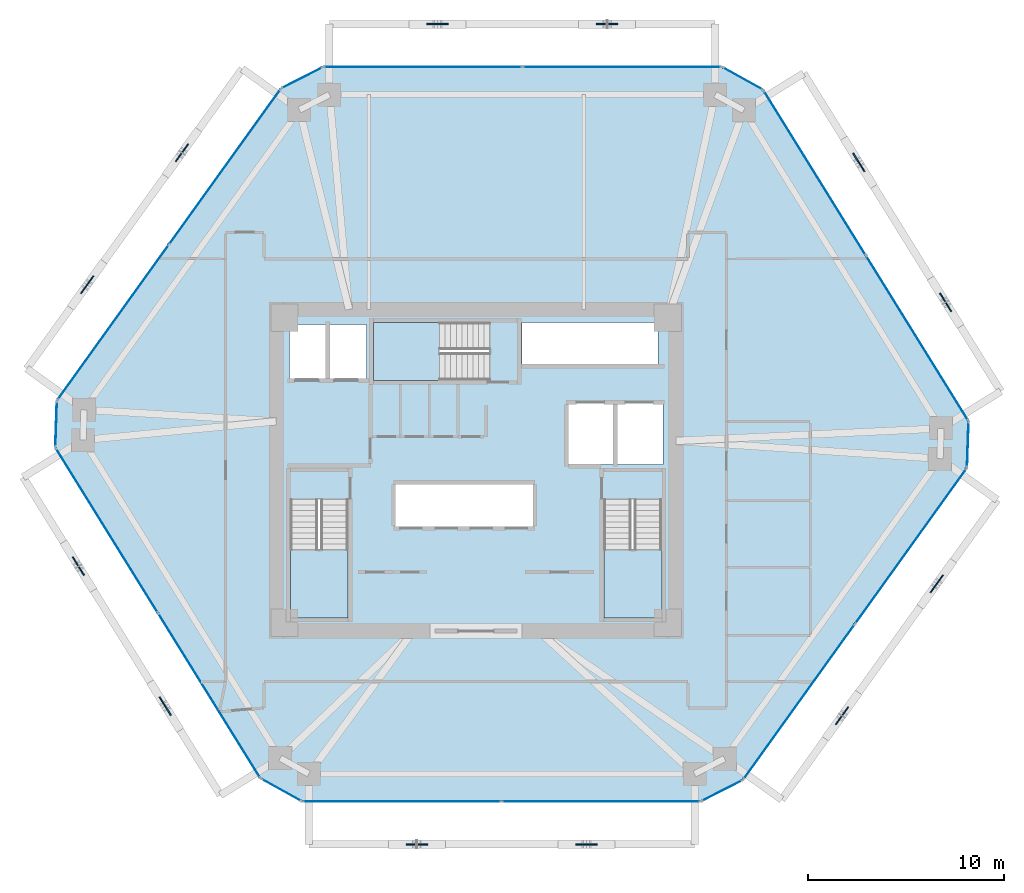
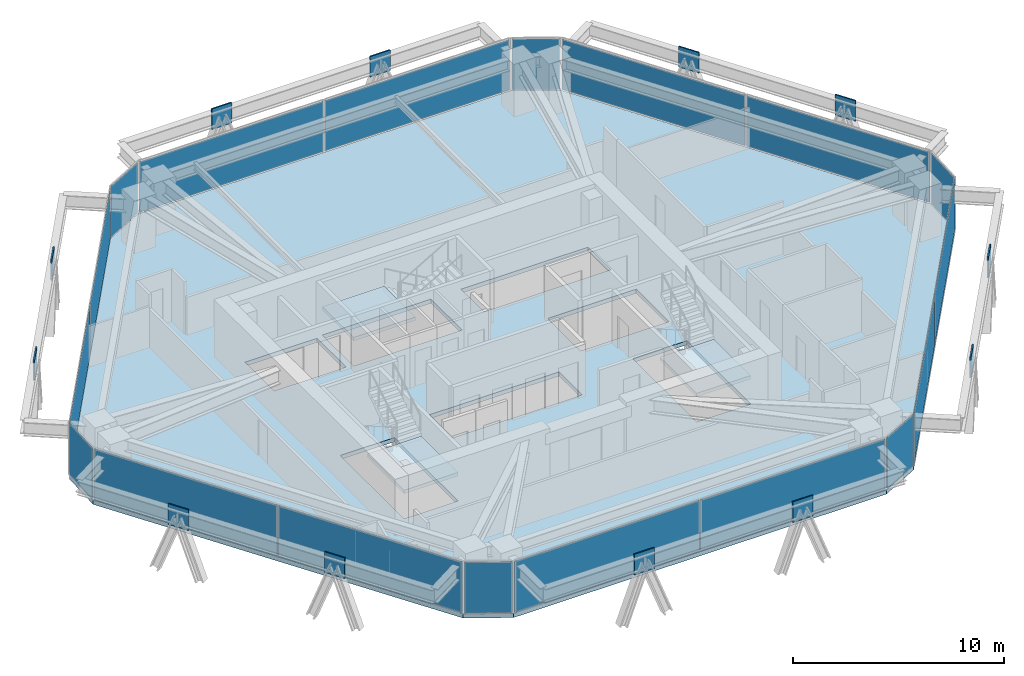
# One storey, part 9 of 15: 30 plates, 4 slabs, 15 elements without a shape of their own.
"""IFC4 building model written with IfcOpenShell, lengths in metres."""

from ifc_helpers import new_model, si_unit, direction, frame, origin, origin_2d, place, context, subcontext, project, spatial, polyline, rectangle, outline, extrude, source, transform, mapped, material, layer, layer_set, type_object, type_shapes, element, aggregate, save


model = new_model("IFC4")

# Units and contexts
model_context = context("Model", 3, precision=1e-05, world=origin(), true_north=direction((0.0, 1.0)))
body_context = subcontext(model_context, "Body", "Model", "MODEL_VIEW")
ifc_project = project(units=[si_unit("LENGTHUNIT", "METRE"), si_unit("AREAUNIT", "SQUARE_METRE"), si_unit("VOLUMEUNIT", "CUBIC_METRE"), si_unit("PLANEANGLEUNIT", "RADIAN"), si_unit("MASSUNIT", "GRAM", prefix="KILO")], contexts=[model_context])

# Site, building, storey
site_placement = place(None, origin())
site = spatial("IfcSite", under=ifc_project, at=site_placement, CompositionType="ELEMENT")
building_placement = place(site_placement, origin())
building = spatial("IfcBuilding", under=site, at=building_placement, Name="Durnholm Broadcast Tower", CompositionType="ELEMENT")
storey_placement = place(building_placement, frame((0.0, 0.0, 97.5)))
storey = spatial("IfcBuildingStorey", under=building, at=storey_placement, Name="L25", CompositionType="ELEMENT", Elevation=97.5)

# Slab
ifc_material_1 = material(Name="Concrete C50/60", Category="concrete")
ifc_layer_1 = layer(ifc_material_1, 0.239990234375)
ifc_layer_set_1 = layer_set([ifc_layer_1], Name="Concrete C50/60")
slab_type_1 = type_object("IfcSlabType", Name="SLAB-FLR-240", PredefinedType="FLOOR", material=ifc_layer_set_1)
slab_1_placement = place(storey_placement, frame((0.0, 0.0, -0.239990234375)))
element("IfcSlab", 1, at=slab_1_placement, inside=storey, type_object=slab_type_1, Name="L25 structural floor slab", PredefinedType="FLOOR", context=body_context, shape_type="SweptSolid", body=[
    extrude(outline(polyline([(-11.012451171875, -15.77001953125), (-8.915283203125, -16.93701171875), (11.51416015625, -16.93701171875), (13.649658203125, -15.841796875), (25.11279296875, 0.114990234375), (25.1943359375, 2.513671875), (14.6904296875, 19.447998046875), (12.59326171875, 20.614990234375), (-7.836181640625, 20.614990234375), (-9.9716796875, 19.519775390625), (-21.434814453125, 3.56298828125), (-21.516357421875, 1.164306640625), (-11.012451171875, -15.77001953125)]), holes=[polyline([(-6.5400390625, -1.5), (-9.5, -1.5), (-9.5, -7.550048828125), (-6.5400390625, -7.550048828125), (-6.5400390625, -1.5)]), polyline([(9.5, -7.550048828125), (9.5, -1.5), (6.5400390625, -1.5), (6.5400390625, -7.550048828125), (9.5, -7.550048828125)]), polyline([(2.949951171875, -0.699951171875), (-4.14990234375, -0.699951171875), (-4.14990234375, -2.89990234375), (2.949951171875, -2.89990234375), (2.949951171875, -0.699951171875)]), polyline([(9.550048828125, 3.39990234375), (4.699951171875, 3.39990234375), (4.699951171875, 0.300048828125), (9.550048828125, 0.300048828125), (9.550048828125, 3.39990234375)]), polyline([(-5.60009765625, 7.449951171875), (-9.550048828125, 7.449951171875), (-9.550048828125, 4.699951171875), (-5.60009765625, 4.699951171875), (-5.60009765625, 7.449951171875)]), polyline([(-5.25, 4.60009765625), (0.699951171875, 4.60009765625), (0.699951171875, 7.56005859375), (-5.25, 7.56005859375), (-5.25, 4.60009765625)]), polyline([(9.31005859375, 7.550048828125), (2.35009765625, 7.550048828125), (2.35009765625, 5.39990234375), (9.31005859375, 5.39990234375), (9.31005859375, 7.550048828125)])]), origin(), (0.0, 0.0, 1.0), 0.239990234375),
])

# Stair, slab
stair_type = type_object("IfcStairType", Name="STAIR-DL-20R1650", PredefinedType="HALF_TURN_STAIR", material=ifc_material_1)
stair_1_placement = place(storey_placement, origin())
stair_1 = element("IfcStair", 2, at=stair_1_placement, inside=storey, type_object=stair_type, Name="L25 ST-1", PredefinedType="HALF_TURN_STAIR")
ifc_layer_2 = layer(ifc_material_1, 0.199951171875)
ifc_layer_set_2 = layer_set([ifc_layer_2], Name="Concrete C50/60")
slab_type_2 = type_object("IfcSlabType", Name="SLAB-LND-200", PredefinedType="LANDING", material=ifc_layer_set_2)
slab_2_placement = place(storey_placement, frame((0.0, 0.0, 1.449951171875)))
slab_2 = element("IfcSlab", 3, at=slab_2_placement, type_object=slab_type_2, Name="ST-1 landing 1", PredefinedType="LANDING", context=body_context, shape_type="SweptSolid", body=[
    extrude(outline(polyline([(-9.5, -4.06494140625), (-9.5, -7.550048828125), (-6.5400390625, -7.550048828125), (-6.5400390625, -4.06494140625), (-9.5, -4.06494140625)])), origin(), (0.0, 0.0, 1.0), 0.199951171875),
])
aggregate(stair_1, [slab_2])

stair_2_placement = place(storey_placement, origin())
stair_2 = element("IfcStair", 4, at=stair_2_placement, inside=storey, type_object=stair_type, Name="L25 ST-2", PredefinedType="HALF_TURN_STAIR")
slab_3_placement = place(storey_placement, frame((0.0, 0.0, 1.449951171875)))
slab_3 = element("IfcSlab", 5, at=slab_3_placement, type_object=slab_type_2, Name="ST-2 landing 1", PredefinedType="LANDING", context=body_context, shape_type="SweptSolid", body=[
    extrude(outline(polyline([(6.5400390625, -4.06494140625), (6.5400390625, -7.550048828125), (9.5, -7.550048828125), (9.5, -4.06494140625), (6.5400390625, -4.06494140625)])), origin(), (0.0, 0.0, 1.0), 0.199951171875),
])
aggregate(stair_2, [slab_3])

stair_3_placement = place(storey_placement, origin())
stair_3 = element("IfcStair", 6, at=stair_3_placement, inside=storey, type_object=stair_type, Name="L25 ST-3", PredefinedType="HALF_TURN_STAIR")
slab_4_placement = place(storey_placement, frame((0.0, 0.0, 1.449951171875)))
slab_4 = element("IfcSlab", 7, at=slab_4_placement, type_object=slab_type_2, Name="ST-3 landing 1", PredefinedType="LANDING", context=body_context, shape_type="SweptSolid", body=[
    extrude(outline(polyline([(-1.864990234375, 7.56005859375), (-5.25, 7.56005859375), (-5.25, 4.60009765625), (-1.864990234375, 4.60009765625), (-1.864990234375, 7.56005859375)])), origin(), (0.0, 0.0, 1.0), 0.199951171875),
])
aggregate(stair_3, [slab_4])

# Plates
ifc_material_2 = material(Name="Steel ASTM A572 Grade 50", Category="steel")
ifc_layer_3 = layer(ifc_material_2, 0.070068359375)
ifc_layer_set_3 = layer_set([ifc_layer_3], Name="Steel ASTM A572 Grade 50")
plate_type_1 = type_object("IfcPlateType", Name="PLT-KN05-GUS", PredefinedType="USERDEFINED", material=ifc_layer_set_3)
shared_shape_1 = source(origin(), body_context, "Body", "SweptSolid", [
    extrude(rectangle(XDim=1.10009765625, YDim=0.070068359375, at=origin_2d()), origin(), (0.0, 0.0, 1.0), 1.199951171875),
])
type_shapes(plate_type_1, [shared_shape_1])
for number, where, z_axis, x_axis, name in (
    (8, (-3.028076171875, -19.136962890625, 1.70849609375), (0.0, 0.0, 1.0), (1.0, 0.0, 0.0), "L25 welded diagrid node gusset plate KN05 F1"),
    (9, (5.65234375, -19.136962890625, 1.70849609375), (0.0, 0.0, 1.0), (1.0, 0.0, 0.0), "L25 welded diagrid node gusset plate KN05 F1"),
    (10, (18.71875, -12.556396484375, 1.70849609375), (0.0, 0.0, 1.0), (0.583399467156, 0.812185361677, 0.0), "L25 welded diagrid node gusset plate KN05 F2"),
    (11, (23.56689453125, -5.807861328125, 1.70849609375), (0.0, 0.0, 1.0), (0.583399467156, 0.812185361677, 0.0), "L25 welded diagrid node gusset plate KN05 F2"),
    (12, (24.01513671875, 8.58837890625, 1.70849609375), (0.0, 0.0, 1.0), (-0.527104121728, 0.849800708906, 0.0), "L25 welded diagrid node gusset plate KN05 F3"),
    (13, (19.576416015625, 15.74462890625, 1.70849609375), (0.0, 0.0, 1.0), (-0.527104121728, 0.849800708906, 0.0), "L25 welded diagrid node gusset plate KN05 F3"),
    (14, (6.7060546875, 22.81494140625, 1.70849609375), (0.0, 0.0, 1.0), (-1.0, 0.0, 0.0), "L25 welded diagrid node gusset plate KN05 F4"),
    (15, (-1.974365234375, 22.81494140625, 1.70849609375), (0.0, 0.0, 1.0), (-1.0, 0.0, 0.0), "L25 welded diagrid node gusset plate KN05 F4"),
    (16, (-15.040771484375, 16.234375, 1.70849609375), (0.0, 0.0, 1.0), (-0.583399467156, -0.812185361677, 0.0), "L25 welded diagrid node gusset plate KN05 F5"),
    (17, (-19.888916015625, 9.48583984375, 1.70849609375), (0.0, 0.0, 1.0), (-0.583399467156, -0.812185361677, 0.0), "L25 welded diagrid node gusset plate KN05 F5"),
    (18, (-20.337158203125, -4.910400390625, 1.70849609375), (0.0, 0.0, 1.0), (0.527104121728, -0.849800708906, 0.0), "L25 welded diagrid node gusset plate KN05 F6"),
    (19, (-15.898193359375, -12.066650390625, 1.70849609375), (0.0, 0.0, 1.0), (0.527104121728, -0.849800708906, 0.0), "L25 welded diagrid node gusset plate KN05 F6"),
):
    element("IfcPlate", number, at=place(storey_placement, frame(where, z_axis=z_axis, x_axis=x_axis)), inside=storey, type_object=plate_type_1, Name=name, ObjectType="GUSSET_PLATE", PredefinedType="USERDEFINED", context=body_context, shape_type="MappedRepresentation", body=[
        mapped(shared_shape_1, transform((0.0, 0.0, 0.0), x_axis=(1.0, 0.0, 0.0), y_axis=(0.0, 1.0, 0.0), z_axis=(0.0, 0.0, 1.0), scale=1.0)),
    ])

# Curtain wall, plate
ifc_material_3 = material(Name="Aluminium and Solar Control IGU", Category="aluminium")
ifc_layer_4 = layer(ifc_material_3, 0.1650390625)
ifc_layer_set_4 = layer_set([ifc_layer_4], Name="Aluminium and Solar Control IGU")
curtain_wall_type_1 = type_object("IfcCurtainWallType", Name="CW-SYS-5", PredefinedType="NOTDEFINED", material=ifc_layer_set_4)
curtain_wall_1_placement = place(storey_placement, origin())
curtain_wall_1 = element("IfcCurtainWall", 20, at=curtain_wall_1_placement, inside=storey, type_object=curtain_wall_type_1, Name="L25 curtain wall CW-CORNER CW-L25-CRN-01", PredefinedType="NOTDEFINED")
ifc_material_4 = material(Name="Low-E Laminated Insulating Glass", Category="glass")
ifc_layer_5 = layer(ifc_material_4, 0.030029296875)
ifc_layer_set_5 = layer_set([ifc_layer_5], Name="Low-E Laminated Insulating Glass")
plate_type_2 = type_object("IfcPlateType", Name="CW-SYS-5-PNL", PredefinedType="CURTAIN_PANEL", material=ifc_layer_set_5)
shared_shape_2 = source(origin(), body_context, "Body", "SweptSolid", [
    extrude(rectangle(XDim=2.27001953125, YDim=0.030029296875, at=origin_2d()), origin(), (0.0, 0.0, 1.0), 2.929931640625),
])
type_shapes(plate_type_2, [shared_shape_2])
plate_1_placement = place(storey_placement, frame((-21.4755859375, 2.36376953125, 0.06494140625), z_axis=(0.0, 0.0, 1.0), x_axis=(0.033916937775, 0.999424655155, 0.0)))
plate_1 = element("IfcPlate", 21, at=plate_1_placement, type_object=plate_type_2, Name="CW-CORNER panel 1.1", PredefinedType="CURTAIN_PANEL", context=body_context, shape_type="MappedRepresentation", body=[
    mapped(shared_shape_2, transform((0.0, 0.0, 0.0), x_axis=(1.0, 0.0, 0.0), y_axis=(0.0, 1.0, 0.0), z_axis=(0.0, 0.0, 1.0), scale=1.0)),
])
aggregate(curtain_wall_1, [plate_1])

curtain_wall_2_placement = place(storey_placement, origin())
curtain_wall_2 = element("IfcCurtainWall", 22, at=curtain_wall_2_placement, inside=storey, type_object=curtain_wall_type_1, Name="L25 curtain wall CW-CORNER CW-L25-CRN-03", PredefinedType="NOTDEFINED")
plate_2_placement = place(storey_placement, frame((-8.904052734375, 20.0673828125, 0.06494140625), z_axis=(0.0, 0.0, 1.0), x_axis=(0.889788396392, 0.45637332267, 0.0)))
plate_2 = element("IfcPlate", 23, at=plate_2_placement, type_object=plate_type_2, Name="CW-CORNER panel 1.1", PredefinedType="CURTAIN_PANEL", context=body_context, shape_type="MappedRepresentation", body=[
    mapped(shared_shape_2, transform((0.0, 0.0, 0.0), x_axis=(1.0, 0.0, 0.0), y_axis=(0.0, 1.0, 0.0), z_axis=(0.0, 0.0, 1.0), scale=1.0)),
])
aggregate(curtain_wall_2, [plate_2])

curtain_wall_3_placement = place(storey_placement, origin())
curtain_wall_3 = element("IfcCurtainWall", 24, at=curtain_wall_3_placement, inside=storey, type_object=curtain_wall_type_1, Name="L25 curtain wall CW-CORNER CW-L25-CRN-05", PredefinedType="NOTDEFINED")
plate_3_placement = place(storey_placement, frame((13.641845703125, 20.031494140625, 0.06494140625), z_axis=(0.0, 0.0, 1.0), x_axis=(0.873822953715, -0.486244224192, 0.0)))
plate_3 = element("IfcPlate", 25, at=plate_3_placement, type_object=plate_type_2, Name="CW-CORNER panel 1.1", PredefinedType="CURTAIN_PANEL", context=body_context, shape_type="MappedRepresentation", body=[
    mapped(shared_shape_2, transform((0.0, 0.0, 0.0), x_axis=(1.0, 0.0, 0.0), y_axis=(0.0, 1.0, 0.0), z_axis=(0.0, 0.0, 1.0), scale=1.0)),
])
aggregate(curtain_wall_3, [plate_3])

curtain_wall_4_placement = place(storey_placement, origin())
curtain_wall_4 = element("IfcCurtainWall", 26, at=curtain_wall_4_placement, inside=storey, type_object=curtain_wall_type_1, Name="L25 curtain wall CW-CORNER CW-L25-CRN-07", PredefinedType="NOTDEFINED")
plate_4_placement = place(storey_placement, frame((25.153564453125, 1.314208984375, 0.06494140625), z_axis=(0.0, 0.0, 1.0), x_axis=(-0.033916937775, -0.999424655155, 0.0)))
plate_4 = element("IfcPlate", 27, at=plate_4_placement, type_object=plate_type_2, Name="CW-CORNER panel 1.1", PredefinedType="CURTAIN_PANEL", context=body_context, shape_type="MappedRepresentation", body=[
    mapped(shared_shape_2, transform((0.0, 0.0, 0.0), x_axis=(1.0, 0.0, 0.0), y_axis=(0.0, 1.0, 0.0), z_axis=(0.0, 0.0, 1.0), scale=1.0)),
])
aggregate(curtain_wall_4, [plate_4])

curtain_wall_5_placement = place(storey_placement, origin())
curtain_wall_5 = element("IfcCurtainWall", 28, at=curtain_wall_5_placement, inside=storey, type_object=curtain_wall_type_1, Name="L25 curtain wall CW-CORNER CW-L25-CRN-09", PredefinedType="NOTDEFINED")
plate_5_placement = place(storey_placement, frame((12.58203125, -16.389404296875, 0.06494140625), z_axis=(0.0, 0.0, 1.0), x_axis=(-0.889788396392, -0.45637332267, 0.0)))
plate_5 = element("IfcPlate", 29, at=plate_5_placement, type_object=plate_type_2, Name="CW-CORNER panel 1.1", PredefinedType="CURTAIN_PANEL", context=body_context, shape_type="MappedRepresentation", body=[
    mapped(shared_shape_2, transform((0.0, 0.0, 0.0), x_axis=(1.0, 0.0, 0.0), y_axis=(0.0, 1.0, 0.0), z_axis=(0.0, 0.0, 1.0), scale=1.0)),
])
aggregate(curtain_wall_5, [plate_5])

curtain_wall_6_placement = place(storey_placement, origin())
curtain_wall_6 = element("IfcCurtainWall", 30, at=curtain_wall_6_placement, inside=storey, type_object=curtain_wall_type_1, Name="L25 curtain wall CW-CORNER CW-L25-CRN-11", PredefinedType="NOTDEFINED")
plate_6_placement = place(storey_placement, frame((-9.9638671875, -16.353515625, 0.06494140625), z_axis=(0.0, 0.0, 1.0), x_axis=(-0.873822953715, 0.486244224192, 0.0)))
plate_6 = element("IfcPlate", 31, at=plate_6_placement, type_object=plate_type_2, Name="CW-CORNER panel 1.1", PredefinedType="CURTAIN_PANEL", context=body_context, shape_type="MappedRepresentation", body=[
    mapped(shared_shape_2, transform((0.0, 0.0, 0.0), x_axis=(1.0, 0.0, 0.0), y_axis=(0.0, 1.0, 0.0), z_axis=(0.0, 0.0, 1.0), scale=1.0)),
])
aggregate(curtain_wall_6, [plate_6])

# Curtain wall, plates
ifc_layer_6 = layer(ifc_material_3, 0.18994140625)
ifc_layer_set_6 = layer_set([ifc_layer_6], Name="Aluminium and Solar Control IGU")
curtain_wall_type_2 = type_object("IfcCurtainWallType", Name="CW-SYS-3", PredefinedType="NOTDEFINED", material=ifc_layer_set_6)
curtain_wall_7_placement = place(storey_placement, origin())
curtain_wall_7 = element("IfcCurtainWall", 32, at=curtain_wall_7_placement, inside=storey, type_object=curtain_wall_type_2, Name="L25 curtain wall CW-Z12-VIS CW-L25-F02", PredefinedType="NOTDEFINED")
ifc_layer_7 = layer(ifc_material_4, 0.031982421875)
ifc_layer_set_7 = layer_set([ifc_layer_7], Name="Low-E Laminated Insulating Glass")
plate_type_3 = type_object("IfcPlateType", Name="CW-SYS-3-PNL", PredefinedType="CURTAIN_PANEL", material=ifc_layer_set_7)
shared_shape_3 = source(origin(), body_context, "Body", "SweptSolid", [
    extrude(rectangle(XDim=9.71875, YDim=0.031982421875, at=origin_2d()), origin(), (0.0, 0.0, 1.0), 2.919921875),
])
plate_7_placement = place(storey_placement, frame((-18.558837890625, 7.56640625, 0.070068359375), z_axis=(0.0, 0.0, 1.0), x_axis=(0.583445473786, 0.812152312759, 0.0)))
plate_7 = element("IfcPlate", 33, at=plate_7_placement, type_object=plate_type_3, Name="CW-Z12-VIS panel 1.1", PredefinedType="CURTAIN_PANEL", context=body_context, shape_type="MappedRepresentation", body=[
    mapped(shared_shape_3, transform((0.0, 0.0, 0.0), x_axis=(1.0, 0.0, 0.0), y_axis=(0.0, 1.0, 0.0), z_axis=(0.0, 0.0, 1.0), scale=1.0)),
])
plate_8_placement = place(storey_placement, frame((-12.84765625, 15.516357421875, 0.070068359375), z_axis=(0.0, 0.0, 1.0), x_axis=(0.583445473786, 0.812152312759, 0.0)))
plate_8 = element("IfcPlate", 34, at=plate_8_placement, type_object=plate_type_3, Name="CW-Z12-VIS panel 2.1", PredefinedType="CURTAIN_PANEL", context=body_context, shape_type="MappedRepresentation", body=[
    mapped(shared_shape_3, transform((0.0, 0.0, 0.0), x_axis=(1.0, 0.0, 0.0), y_axis=(0.0, 1.0, 0.0), z_axis=(0.0, 0.0, 1.0), scale=1.0)),
])
aggregate(curtain_wall_7, [plate_7, plate_8])

curtain_wall_8_placement = place(storey_placement, origin())
curtain_wall_8 = element("IfcCurtainWall", 35, at=curtain_wall_8_placement, inside=storey, type_object=curtain_wall_type_2, Name="L25 curtain wall CW-Z12-VIS CW-L25-F08", PredefinedType="NOTDEFINED")
plate_9_placement = place(storey_placement, frame((22.23681640625, -3.888427734375, 0.070068359375), z_axis=(0.0, 0.0, 1.0), x_axis=(-0.583445473786, -0.812152312759, 0.0)))
plate_9 = element("IfcPlate", 36, at=plate_9_placement, type_object=plate_type_3, Name="CW-Z12-VIS panel 1.1", PredefinedType="CURTAIN_PANEL", context=body_context, shape_type="MappedRepresentation", body=[
    mapped(shared_shape_3, transform((0.0, 0.0, 0.0), x_axis=(1.0, 0.0, 0.0), y_axis=(0.0, 1.0, 0.0), z_axis=(0.0, 0.0, 1.0), scale=1.0)),
])
plate_10_placement = place(storey_placement, frame((16.525634765625, -11.83837890625, 0.070068359375), z_axis=(0.0, 0.0, 1.0), x_axis=(-0.583445473786, -0.812152312759, 0.0)))
plate_10 = element("IfcPlate", 37, at=plate_10_placement, type_object=plate_type_3, Name="CW-Z12-VIS panel 2.1", PredefinedType="CURTAIN_PANEL", context=body_context, shape_type="MappedRepresentation", body=[
    mapped(shared_shape_3, transform((0.0, 0.0, 0.0), x_axis=(1.0, 0.0, 0.0), y_axis=(0.0, 1.0, 0.0), z_axis=(0.0, 0.0, 1.0), scale=1.0)),
])
aggregate(curtain_wall_8, [plate_9, plate_10])

curtain_wall_9_placement = place(storey_placement, origin())
curtain_wall_9 = element("IfcCurtainWall", 38, at=curtain_wall_9_placement, inside=storey, type_object=curtain_wall_type_2, Name="L25 curtain wall CW-Z12-VIS CW-L25-F04", PredefinedType="NOTDEFINED")
shared_shape_4 = source(origin(), body_context, "Body", "SweptSolid", [
    extrude(rectangle(XDim=10.109619140625, YDim=0.031982421875, at=origin_2d()), origin(), (0.0, 0.0, 1.0), 2.919921875),
])
plate_11_placement = place(storey_placement, frame((-2.71142578125, 20.614990234375, 0.070068359375), z_axis=(0.0, 0.0, 1.0), x_axis=(1.0, 0.0, 0.0)))
plate_11 = element("IfcPlate", 39, at=plate_11_placement, type_object=plate_type_3, Name="CW-Z12-VIS panel 1.1", PredefinedType="CURTAIN_PANEL", context=body_context, shape_type="MappedRepresentation", body=[
    mapped(shared_shape_4, transform((0.0, 0.0, 0.0), x_axis=(1.0, 0.0, 0.0), y_axis=(0.0, 1.0, 0.0), z_axis=(0.0, 0.0, 1.0), scale=1.0)),
])
plate_12_placement = place(storey_placement, frame((7.46826171875, 20.614990234375, 0.070068359375), z_axis=(0.0, 0.0, 1.0), x_axis=(1.0, 0.0, 0.0)))
plate_12 = element("IfcPlate", 40, at=plate_12_placement, type_object=plate_type_3, Name="CW-Z12-VIS panel 2.1", PredefinedType="CURTAIN_PANEL", context=body_context, shape_type="MappedRepresentation", body=[
    mapped(shared_shape_4, transform((0.0, 0.0, 0.0), x_axis=(1.0, 0.0, 0.0), y_axis=(0.0, 1.0, 0.0), z_axis=(0.0, 0.0, 1.0), scale=1.0)),
])
aggregate(curtain_wall_9, [plate_11, plate_12])

curtain_wall_10_placement = place(storey_placement, origin())
curtain_wall_10 = element("IfcCurtainWall", 41, at=curtain_wall_10_placement, inside=storey, type_object=curtain_wall_type_2, Name="L25 curtain wall CW-Z12-VIS CW-L25-F10", PredefinedType="NOTDEFINED")
plate_13_placement = place(storey_placement, frame((6.389404296875, -16.93701171875, 0.070068359375), z_axis=(0.0, 0.0, 1.0), x_axis=(-1.0, 0.0, 0.0)))
plate_13 = element("IfcPlate", 42, at=plate_13_placement, type_object=plate_type_3, Name="CW-Z12-VIS panel 1.1", PredefinedType="CURTAIN_PANEL", context=body_context, shape_type="MappedRepresentation", body=[
    mapped(shared_shape_4, transform((0.0, 0.0, 0.0), x_axis=(1.0, 0.0, 0.0), y_axis=(0.0, 1.0, 0.0), z_axis=(0.0, 0.0, 1.0), scale=1.0)),
])
plate_14_placement = place(storey_placement, frame((-3.790283203125, -16.93701171875, 0.070068359375), z_axis=(0.0, 0.0, 1.0), x_axis=(-1.0, 0.0, 0.0)))
plate_14 = element("IfcPlate", 43, at=plate_14_placement, type_object=plate_type_3, Name="CW-Z12-VIS panel 2.1", PredefinedType="CURTAIN_PANEL", context=body_context, shape_type="MappedRepresentation", body=[
    mapped(shared_shape_4, transform((0.0, 0.0, 0.0), x_axis=(1.0, 0.0, 0.0), y_axis=(0.0, 1.0, 0.0), z_axis=(0.0, 0.0, 1.0), scale=1.0)),
])
aggregate(curtain_wall_10, [plate_13, plate_14])

curtain_wall_11_placement = place(storey_placement, origin())
curtain_wall_11 = element("IfcCurtainWall", 44, at=curtain_wall_11_placement, inside=storey, type_object=curtain_wall_type_2, Name="L25 curtain wall CW-Z12-VIS CW-L25-F06", PredefinedType="NOTDEFINED")
shared_shape_5 = source(origin(), body_context, "Body", "SweptSolid", [
    extrude(rectangle(XDim=9.858642578125, YDim=0.031982421875, at=origin_2d()), origin(), (0.0, 0.0, 1.0), 2.919921875),
])
type_shapes(plate_type_3, [shared_shape_3, shared_shape_4, shared_shape_5])
plate_15_placement = place(storey_placement, frame((17.32568359375, 15.199462890625, 0.070068359375), z_axis=(0.0, 0.0, 1.0), x_axis=(0.527105385176, -0.849799925229, 0.0)))
plate_15 = element("IfcPlate", 45, at=plate_15_placement, type_object=plate_type_3, Name="CW-Z12-VIS panel 1.1", PredefinedType="CURTAIN_PANEL", context=body_context, shape_type="MappedRepresentation", body=[
    mapped(shared_shape_5, transform((0.0, 0.0, 0.0), x_axis=(1.0, 0.0, 0.0), y_axis=(0.0, 1.0, 0.0), z_axis=(0.0, 0.0, 1.0), scale=1.0)),
])
plate_16_placement = place(storey_placement, frame((22.55908203125, 6.761962890625, 0.070068359375), z_axis=(0.0, 0.0, 1.0), x_axis=(0.527105385176, -0.849799925229, 0.0)))
plate_16 = element("IfcPlate", 46, at=plate_16_placement, type_object=plate_type_3, Name="CW-Z12-VIS panel 2.1", PredefinedType="CURTAIN_PANEL", context=body_context, shape_type="MappedRepresentation", body=[
    mapped(shared_shape_5, transform((0.0, 0.0, 0.0), x_axis=(1.0, 0.0, 0.0), y_axis=(0.0, 1.0, 0.0), z_axis=(0.0, 0.0, 1.0), scale=1.0)),
])
aggregate(curtain_wall_11, [plate_15, plate_16])

curtain_wall_12_placement = place(storey_placement, origin())
curtain_wall_12 = element("IfcCurtainWall", 47, at=curtain_wall_12_placement, inside=storey, type_object=curtain_wall_type_2, Name="L25 curtain wall CW-Z12-VIS CW-L25-F12", PredefinedType="NOTDEFINED")
plate_17_placement = place(storey_placement, frame((-13.647705078125, -11.521484375, 0.070068359375), z_axis=(0.0, 0.0, 1.0), x_axis=(-0.527105385176, 0.849799925229, 0.0)))
plate_17 = element("IfcPlate", 48, at=plate_17_placement, type_object=plate_type_3, Name="CW-Z12-VIS panel 1.1", PredefinedType="CURTAIN_PANEL", context=body_context, shape_type="MappedRepresentation", body=[
    mapped(shared_shape_5, transform((0.0, 0.0, 0.0), x_axis=(1.0, 0.0, 0.0), y_axis=(0.0, 1.0, 0.0), z_axis=(0.0, 0.0, 1.0), scale=1.0)),
])
plate_18_placement = place(storey_placement, frame((-18.881103515625, -3.083984375, 0.070068359375), z_axis=(0.0, 0.0, 1.0), x_axis=(-0.527105385176, 0.849799925229, 0.0)))
plate_18 = element("IfcPlate", 49, at=plate_18_placement, type_object=plate_type_3, Name="CW-Z12-VIS panel 2.1", PredefinedType="CURTAIN_PANEL", context=body_context, shape_type="MappedRepresentation", body=[
    mapped(shared_shape_5, transform((0.0, 0.0, 0.0), x_axis=(1.0, 0.0, 0.0), y_axis=(0.0, 1.0, 0.0), z_axis=(0.0, 0.0, 1.0), scale=1.0)),
])
aggregate(curtain_wall_12, [plate_17, plate_18])

save(model, "model.ifc")
